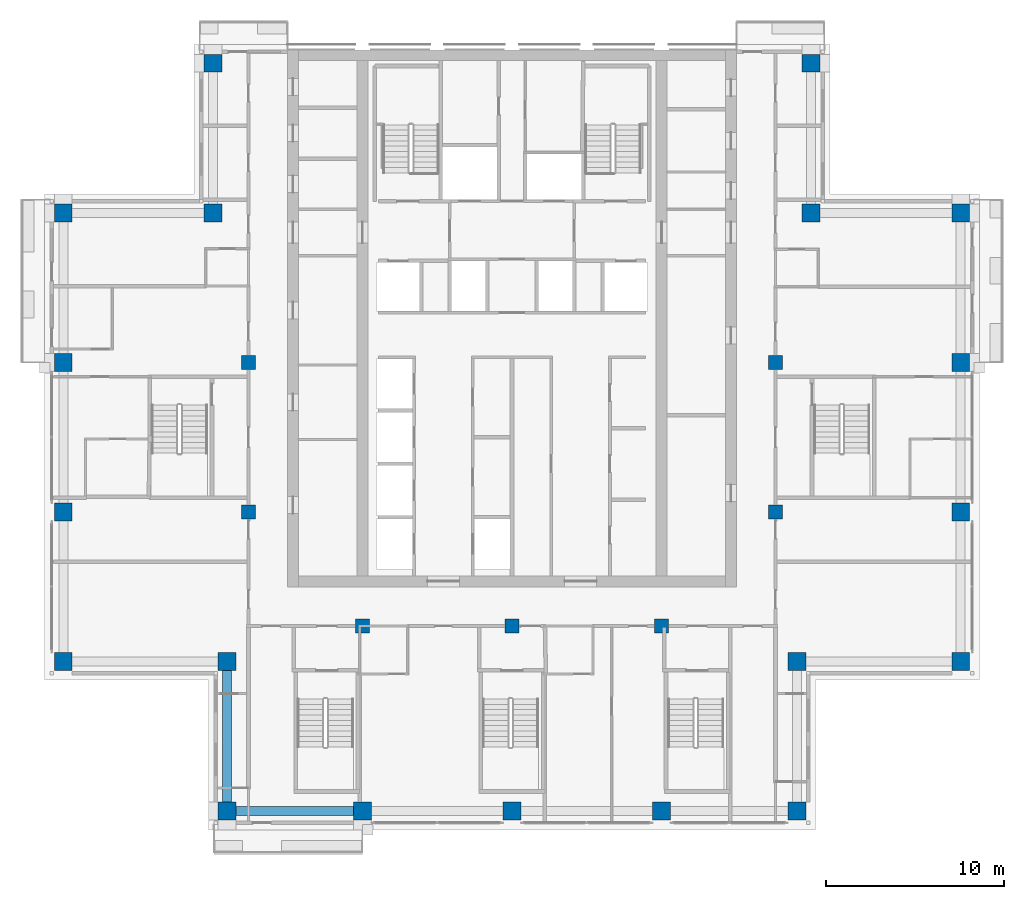
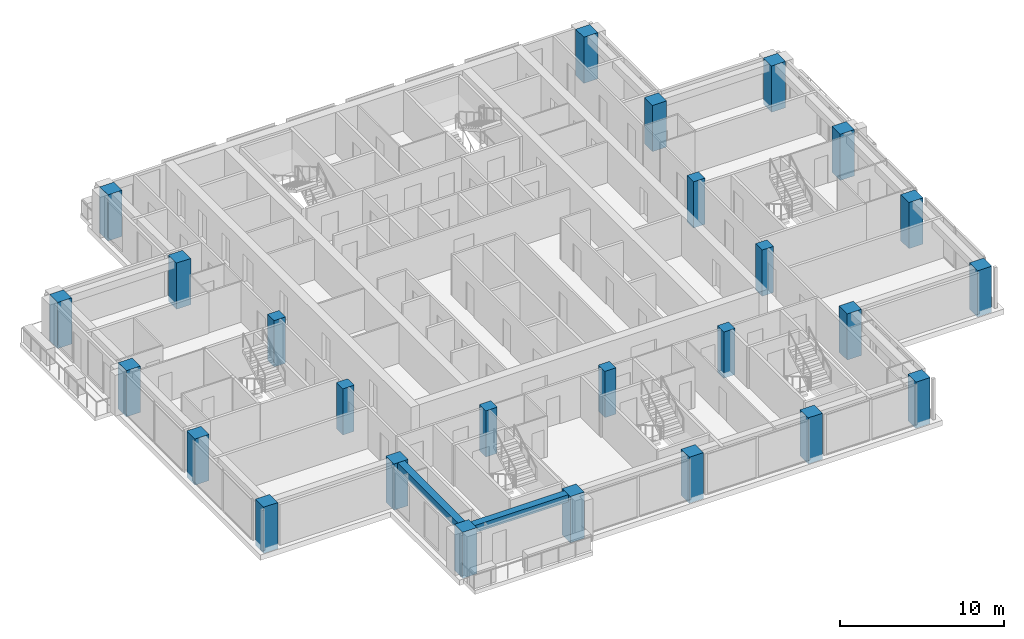
# One storey, part 1 of 16: 26 columns, 2 beams.
"""IFC4 building model written with IfcOpenShell, lengths in metres."""

from ifc_helpers import new_model, si_unit, direction, frame, origin, origin_2d, place, context, subcontext, project, spatial, rectangle, extrude, material, material_profile, profile_set, type_object, element, save


model = new_model("IFC4")

# Units and contexts
model_context = context("Model", 3, precision=1e-05, world=origin(), true_north=direction((0.0, 1.0)))
body_context = subcontext(model_context, "Body", "Model", "MODEL_VIEW")
ifc_project = project(units=[si_unit("LENGTHUNIT", "METRE"), si_unit("AREAUNIT", "SQUARE_METRE"), si_unit("VOLUMEUNIT", "CUBIC_METRE"), si_unit("PLANEANGLEUNIT", "RADIAN"), si_unit("MASSUNIT", "GRAM", prefix="KILO")], contexts=[model_context])

# Site, building, storey
site_placement = place(None, origin())
site = spatial("IfcSite", under=ifc_project, at=site_placement, CompositionType="ELEMENT")
building_placement = place(site_placement, origin())
building = spatial("IfcBuilding", under=site, at=building_placement, Name="Vermilion Ogive Tower", CompositionType="ELEMENT")
storey_placement = place(building_placement, frame((0.0, 0.0, 179.0)))
storey = spatial("IfcBuildingStorey", under=building, at=storey_placement, Name="L46", CompositionType="ELEMENT", Elevation=179.0)

# Columns
ifc_material_1 = material(Name="Concrete B60", Category="concrete")
ifc_material_profile_1 = material_profile(ifc_material_1, rectangle(XDim=1.0, YDim=1.0, at=origin_2d()), Name="1000 x 1000")
ifc_profile_set_1 = profile_set([ifc_material_profile_1], Name="Concrete B60")
column_type_1 = type_object("IfcColumnType", Name="Perimeter column 1000 x 1000 B60", PredefinedType="COLUMN", material=ifc_profile_set_1)
for number, where, z_axis, x_axis, name in (
    (1, (-16.0, -21.0, -0.39990234375), (0.0, 0.0, 1.0), (1.0, 0.0, 0.0), "COL-L46-P-0160-210"),
    (2, (-8.39990234375, -21.0, -0.39990234375), (0.0, 0.0, 1.0), (1.0, 0.0, 0.0), "COL-L46-P-0084-210"),
    (3, (0.0, -21.0, -0.39990234375), (0.0, 0.0, 1.0), (1.0, 0.0, 0.0), "COL-L46-P+0000-210"),
    (4, (8.39990234375, -21.0, -0.39990234375), (0.0, 0.0, 1.0), (1.0, 0.0, 0.0), "COL-L46-P+0084-210"),
    (5, (16.0, -21.0, -0.39990234375), (0.0, 0.0, 1.0), (1.0, 0.0, 0.0), "COL-L46-P+0160-210"),
    (6, (-25.199951171875, -12.60009765625, -0.39990234375), (0.0, 0.0, 1.0), (1.0, 0.0, 0.0), "COL-L46-P-0252-126"),
    (7, (-16.0, -12.60009765625, -0.39990234375), (0.0, 0.0, 1.0), (1.0, 0.0, 0.0), "COL-L46-P-0160-126"),
    (8, (16.0, -12.60009765625, -0.39990234375), (0.0, 0.0, 1.0), (1.0, 0.0, 0.0), "COL-L46-P+0160-126"),
    (9, (25.199951171875, -12.60009765625, -0.39990234375), (0.0, 0.0, 1.0), (1.0, 0.0, 0.0), "COL-L46-P+0252-126"),
    (10, (-25.199951171875, -4.199951171875, -0.39990234375), (0.0, 0.0, 1.0), (1.0, 0.0, 0.0), "COL-L46-P-0252-042"),
    (11, (25.199951171875, -4.199951171875, -0.39990234375), (0.0, 0.0, 1.0), (1.0, 0.0, 0.0), "COL-L46-P+0252-042"),
    (12, (-25.199951171875, 4.199951171875, -0.39990234375), (0.0, 0.0, 1.0), (1.0, 0.0, 0.0), "COL-L46-P-0252+042"),
    (13, (25.199951171875, 4.199951171875, -0.39990234375), (0.0, 0.0, 1.0), (1.0, 0.0, 0.0), "COL-L46-P+0252+042"),
    (14, (-25.199951171875, 12.60009765625, -0.39990234375), (0.0, 0.0, 1.0), (1.0, 0.0, 0.0), "COL-L46-P-0252+126"),
    (15, (-16.800048828125, 12.60009765625, -0.39990234375), (0.0, 0.0, 1.0), (1.0, 0.0, 0.0), "COL-L46-P-0168+126"),
    (16, (16.800048828125, 12.60009765625, -0.39990234375), (0.0, 0.0, 1.0), (1.0, 0.0, 0.0), "COL-L46-P+0168+126"),
    (17, (25.199951171875, 12.60009765625, -0.39990234375), (0.0, 0.0, 1.0), (1.0, 0.0, 0.0), "COL-L46-P+0252+126"),
    (18, (-16.800048828125, 21.0, -0.39990234375), (0.0, 0.0, 1.0), (1.0, 0.0, 0.0), "COL-L46-P-0168+210"),
    (19, (16.800048828125, 21.0, -0.39990234375), (0.0, 0.0, 1.0), (1.0, 0.0, 0.0), "COL-L46-P+0168+210"),
):
    element("IfcColumn", number, at=place(storey_placement, frame(where, z_axis=z_axis, x_axis=x_axis)), inside=storey, type_object=column_type_1, Name=name, PredefinedType="COLUMN", context=body_context, shape_type="SweptSolid", body=[
        extrude(rectangle(XDim=1.0, YDim=1.0, at=origin_2d()), origin(), (0.0, 0.0, 1.0), 3.449951171875),
    ])
ifc_material_2 = material(Name="Concrete B60", Category="concrete")
ifc_material_profile_2 = material_profile(ifc_material_2, rectangle(XDim=0.800048828125, YDim=0.800048828125, at=origin_2d()), Name="800 x 800")
ifc_profile_set_2 = profile_set([ifc_material_profile_2], Name="Concrete B60")
column_type_2 = type_object("IfcColumnType", Name="Ring column 800 x 800 B60", PredefinedType="COLUMN", material=ifc_profile_set_2)
for number, where, z_axis, x_axis, name in (
    (20, (-8.39990234375, -10.60009765625, -0.39990234375), (0.0, 0.0, 1.0), (1.0, 0.0, 0.0), "COL-L46-R-0084-106"),
    (21, (0.0, -10.60009765625, -0.39990234375), (0.0, 0.0, 1.0), (1.0, 0.0, 0.0), "COL-L46-R+0000-106"),
    (22, (8.39990234375, -10.60009765625, -0.39990234375), (0.0, 0.0, 1.0), (1.0, 0.0, 0.0), "COL-L46-R+0084-106"),
    (23, (-14.800048828125, -4.199951171875, -0.39990234375), (0.0, 0.0, 1.0), (1.0, 0.0, 0.0), "COL-L46-R-0148-042"),
    (24, (14.800048828125, -4.199951171875, -0.39990234375), (0.0, 0.0, 1.0), (1.0, 0.0, 0.0), "COL-L46-R+0148-042"),
    (25, (-14.800048828125, 4.199951171875, -0.39990234375), (0.0, 0.0, 1.0), (1.0, 0.0, 0.0), "COL-L46-R-0148+042"),
    (26, (14.800048828125, 4.199951171875, -0.39990234375), (0.0, 0.0, 1.0), (1.0, 0.0, 0.0), "COL-L46-R+0148+042"),
):
    element("IfcColumn", number, at=place(storey_placement, frame(where, z_axis=z_axis, x_axis=x_axis)), inside=storey, type_object=column_type_2, Name=name, PredefinedType="COLUMN", context=body_context, shape_type="SweptSolid", body=[
        extrude(rectangle(XDim=0.800048828125, YDim=0.800048828125, at=origin_2d()), origin(), (0.0, 0.0, 1.0), 3.449951171875),
    ])

# Beams
ifc_material_3 = material(Name="Concrete B45", Category="concrete")
ifc_material_profile_3 = material_profile(ifc_material_3, rectangle(XDim=0.5, YDim=0.550048828125, at=origin_2d()), Name="500 x 550")
ifc_profile_set_3 = profile_set([ifc_material_profile_3], Name="Concrete B45")
beam_type = type_object("IfcBeamType", Name="Edge beam 500 x 550 B45", PredefinedType="BEAM", material=ifc_profile_set_3)
beam_1_placement = place(storey_placement, frame((-15.5, -21.0, 2.77490234375), z_axis=(1.0, 0.0, 0.0), x_axis=(0.0, 1.0, 0.0)))
element("IfcBeam", 27, at=beam_1_placement, inside=storey, type_object=beam_type, Name="L46-EB-1", PredefinedType="BEAM", context=body_context, shape_type="SweptSolid", body=[
    extrude(rectangle(XDim=0.5, YDim=0.550048828125, at=origin_2d()), origin(), (0.0, 0.0, 1.0), 6.60009765625),
])
beam_2_placement = place(storey_placement, frame((-16.0, -13.10009765625, 2.77490234375), z_axis=(0.0, -1.0, 0.0), x_axis=(1.0, 0.0, 0.0)))
element("IfcBeam", 28, at=beam_2_placement, inside=storey, type_object=beam_type, Name="L46-EB-18", PredefinedType="BEAM", context=body_context, shape_type="SweptSolid", body=[
    extrude(rectangle(XDim=0.5, YDim=0.550048828125, at=origin_2d()), origin(), (0.0, 0.0, 1.0), 7.39990234375),
])

save(model, "model.ifc")
